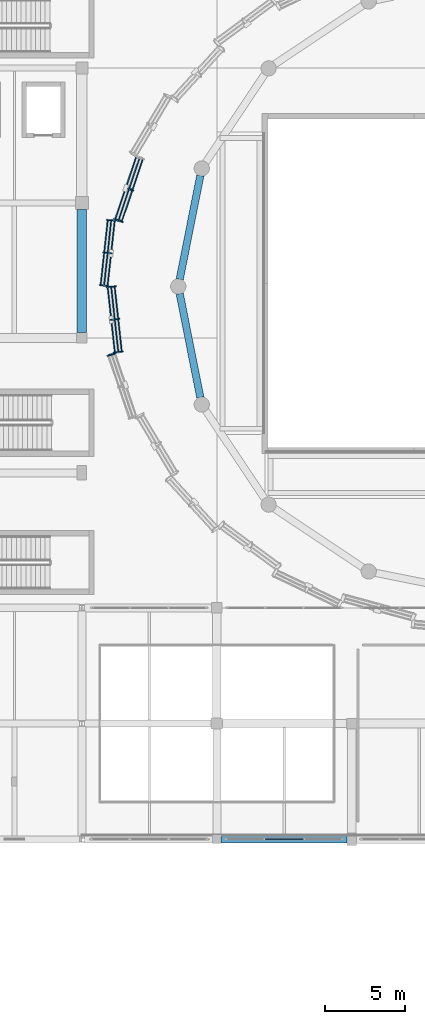
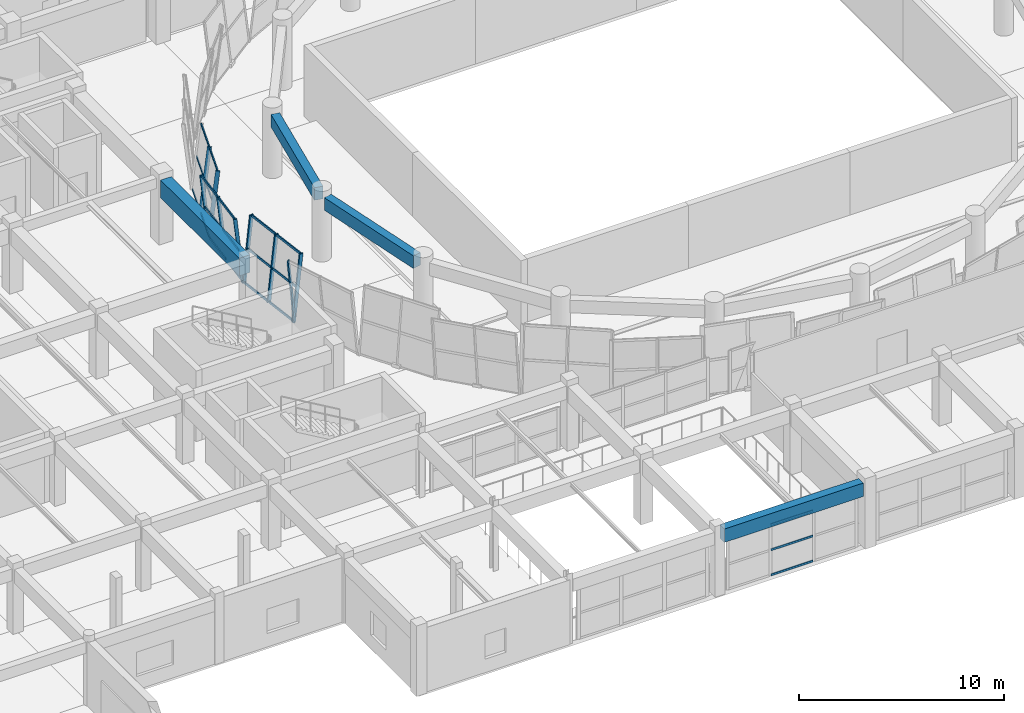
# One storey, part 15 of 71: 30 members, 4 beams, 5 elements without a shape of their own.
"""IFC4 building model written with IfcOpenShell, lengths in metres."""

from ifc_helpers import new_model, si_unit, direction, frame, origin, origin_2d, place, context, subcontext, project, spatial, rectangle, hollow_rectangle, extrude, material, material_profile, profile_set, type_object, element, aggregate, save


model = new_model("IFC4")

# Units and contexts
model_context = context("Model", 3, precision=1e-05, world=origin(), true_north=direction((0.0, 1.0)))
body_context = subcontext(model_context, "Body", "Model", "MODEL_VIEW")
ifc_project = project(units=[si_unit("LENGTHUNIT", "METRE"), si_unit("AREAUNIT", "SQUARE_METRE"), si_unit("VOLUMEUNIT", "CUBIC_METRE"), si_unit("PLANEANGLEUNIT", "RADIAN"), si_unit("MASSUNIT", "GRAM", prefix="KILO")], contexts=[model_context])

# Site, building, storey
site_placement = place(None, origin())
site = spatial("IfcSite", under=ifc_project, at=site_placement, CompositionType="ELEMENT")
building_placement = place(site_placement, origin())
building = spatial("IfcBuilding", under=site, at=building_placement, Name="Korsvaeld Concert Hall", CompositionType="ELEMENT")
storey_placement = place(building_placement, frame((0.0, 0.0, 4.800048828125)))
storey = spatial("IfcBuildingStorey", under=building, at=storey_placement, Name="L01", CompositionType="ELEMENT", Elevation=4.800048828125)

# Beams
ifc_material_1 = material(Name="Concrete C35/45", Category="concrete")
ifc_material_profile_1 = material_profile(ifc_material_1, rectangle(XDim=0.449951171875, YDim=0.75, at=origin_2d()), Name="RC 450x750")
ifc_profile_set_1 = profile_set([ifc_material_profile_1], Name="Concrete C35/45")
beam_type_1 = type_object("IfcBeamType", Name="BM-RC-450x750", PredefinedType="T_BEAM", material=ifc_profile_set_1)
beam_1_placement = place(storey_placement, frame((66.173583984375, 70.106201171875, 3.46484375), z_axis=(-0.195083214432, -0.980786694163, 0.0), x_axis=(0.980786694163, -0.195083214432, 0.0)))
element("IfcBeam", 1, at=beam_1_placement, inside=storey, type_object=beam_type_1, Name="Drum ring floor girder L01 08", PredefinedType="T_BEAM", context=body_context, shape_type="SweptSolid", body=[
    extrude(rectangle(XDim=0.449951171875, YDim=0.75, at=origin_2d()), origin(), (0.0, 0.0, 1.0), 6.591552734375),
])
beam_2_placement = place(storey_placement, frame((64.8876953125, 62.758544921875, 3.46484375), z_axis=(0.195090301499, -0.980785284484, 0.0), x_axis=(0.980785284484, 0.195090301499, 0.0)))
element("IfcBeam", 2, at=beam_2_placement, inside=storey, type_object=beam_type_1, Name="Drum ring floor girder L01 09", PredefinedType="T_BEAM", context=body_context, shape_type="SweptSolid", body=[
    extrude(rectangle(XDim=0.449951171875, YDim=0.75, at=origin_2d()), origin(), (0.0, 0.0, 1.0), 6.59130859375),
])
ifc_material_profile_2 = material_profile(ifc_material_1, rectangle(XDim=0.449951171875, YDim=0.800048828125, at=origin_2d()), Name="RC 450x800")
ifc_profile_set_2 = profile_set([ifc_material_profile_2], Name="Concrete C35/45")
beam_type_2 = type_object("IfcBeamType", Name="BM-RC-450x800", PredefinedType="T_BEAM", material=ifc_profile_set_2)
beam_3_placement = place(storey_placement, frame((67.47509765625, 28.800048828125, 3.43994140625), z_axis=(1.0, 0.0, 0.0), x_axis=(0.0, 1.0, 0.0)))
element("IfcBeam", 3, at=beam_3_placement, inside=storey, type_object=beam_type_2, Name="Primary girder 10-11/E L01", PredefinedType="T_BEAM", context=body_context, shape_type="SweptSolid", body=[
    extrude(rectangle(XDim=0.449951171875, YDim=0.800048828125, at=origin_2d()), origin(), (0.0, 0.0, 1.0), 7.824951171875),
])
ifc_material_2 = material(Name="Concrete C40/50", Category="concrete")
ifc_material_profile_3 = material_profile(ifc_material_2, rectangle(XDim=0.60009765625, YDim=1.050048828125, at=origin_2d()), Name="RC 600x1050")
ifc_profile_set_3 = profile_set([ifc_material_profile_3], Name="Concrete C40/50")
beam_type_3 = type_object("IfcBeamType", Name="BM-RC-600x1050", PredefinedType="T_BEAM", material=ifc_profile_set_3)
beam_4_placement = place(storey_placement, frame((58.800048828125, 60.324951171875, 3.31494140625), z_axis=(0.0, 1.0, 0.0), x_axis=(-1.0, 0.0, 0.0)))
element("IfcBeam", 4, at=beam_4_placement, inside=storey, type_object=beam_type_3, Name="Primary girder 9/J-K L01", PredefinedType="T_BEAM", context=body_context, shape_type="SweptSolid", body=[
    extrude(rectangle(XDim=0.60009765625, YDim=1.050048828125, at=origin_2d()), origin(), (0.0, 0.0, 1.0), 7.675048828125),
])

# Curtain wall, members
ifc_material_3 = material(Name="Anodised bronze and ceramic-fritted safety glass", Category="glass")
curtain_wall_type_1 = type_object("IfcCurtainWallType", Name="CW-TYPE-08", PredefinedType="USERDEFINED", material=ifc_material_3)
curtain_wall_1_placement = place(storey_placement, origin())
curtain_wall_1 = element("IfcCurtainWall", 5, at=curtain_wall_1_placement, inside=storey, type_object=curtain_wall_type_1, Name="Crystal curtain-wall facet L01 F16", ObjectType="CURTAIN WALL", PredefinedType="USERDEFINED")
ifc_material_4 = material(Name="Anodised architectural bronze aluminium", Category="aluminium")
ifc_material_profile_4 = material_profile(ifc_material_4, hollow_rectangle(XDim=0.074951171875, YDim=0.179931640625, WallThickness=0.0048828125, at=origin_2d()), Name="CWM 180x75x5")
ifc_profile_set_4 = profile_set([ifc_material_profile_4], Name="Anodised architectural bronze aluminium")
member_type_1 = type_object("IfcMemberType", Name="CWM-BRONZE-180x75", PredefinedType="MULLION", material=ifc_profile_set_4)
member_1_placement = place(storey_placement, frame((60.849365234375, 67.298583984375, 0.0), z_axis=(-0.112724477712, 0.010003281439, 0.993575928898), x_axis=(-0.19573924927, -0.980578399694, -0.012334842844)))
member_1 = element("IfcMember", 6, at=member_1_placement, type_object=member_type_1, Name="CW-CRYS-L01-F16 crystal mullion 1", PredefinedType="MULLION", context=body_context, shape_type="SweptSolid", body=[
    extrude(hollow_rectangle(XDim=0.074951171875, YDim=0.179931640625, WallThickness=0.0048828125, at=origin_2d()), origin(), (0.0, 0.0, 1.0), 3.905029296875),
])
member_2_placement = place(storey_placement, frame((60.626708984375, 65.26806640625, 0.0), z_axis=(-0.112786273449, 0.00994069705, 0.993569544151), x_axis=(-0.195151320057, -0.980695499736, -0.012340951229)))
member_2 = element("IfcMember", 7, at=member_2_placement, type_object=member_type_1, Name="CW-CRYS-L01-F16 crystal mullion 2", PredefinedType="MULLION", context=body_context, shape_type="SweptSolid", body=[
    extrude(hollow_rectangle(XDim=0.074951171875, YDim=0.179931640625, WallThickness=0.0048828125, at=origin_2d()), origin(), (0.0, 0.0, 1.0), 3.905029296875),
])
member_3_placement = place(storey_placement, frame((60.404052734375, 63.2373046875, 0.0), z_axis=(-0.112786273449, 0.00994069705, 0.993569544151), x_axis=(-0.195151320057, -0.980695499736, -0.012340951229)))
member_3 = element("IfcMember", 8, at=member_3_placement, type_object=member_type_1, Name="CW-CRYS-L01-F16 crystal mullion 3", PredefinedType="MULLION", context=body_context, shape_type="SweptSolid", body=[
    extrude(hollow_rectangle(XDim=0.074951171875, YDim=0.179931640625, WallThickness=0.0048828125, at=origin_2d()), origin(), (0.0, 0.0, 1.0), 3.905029296875),
])

# Curtain wall, member
curtain_wall_type_2 = type_object("IfcCurtainWallType", Name="CW-TYPE-02", PredefinedType="USERDEFINED", material=ifc_material_3)
curtain_wall_2_placement = place(storey_placement, origin())
curtain_wall_2 = element("IfcCurtainWall", 9, at=curtain_wall_2_placement, inside=storey, type_object=curtain_wall_type_2, Name="Crystal curtain-wall facet L01 F18", ObjectType="CURTAIN WALL", PredefinedType="USERDEFINED")
member_4_placement = place(storey_placement, frame((60.865478515625, 59.028564453125, 0.0), z_axis=(-0.109222864708, -0.029759635719, 0.993571703455), x_axis=(0.555751470455, -0.830559253027, 0.036216436851)))
member_4 = element("IfcMember", 10, at=member_4_placement, type_object=member_type_1, Name="CW-CRYS-L01-F18 crystal mullion 1", PredefinedType="MULLION", context=body_context, shape_type="SweptSolid", body=[
    extrude(hollow_rectangle(XDim=0.074951171875, YDim=0.179931640625, WallThickness=0.0048828125, at=origin_2d()), origin(), (0.0, 0.0, 1.0), 3.905029296875),
])
aggregate(curtain_wall_2, [member_4])

# Curtain wall, members
curtain_wall_type_3 = type_object("IfcCurtainWallType", Name="CW-TYPE-07", PredefinedType="USERDEFINED", material=ifc_material_3)
curtain_wall_3_placement = place(storey_placement, origin())
curtain_wall_3 = element("IfcCurtainWall", 11, at=curtain_wall_3_placement, inside=storey, type_object=curtain_wall_type_3, Name="Crystal curtain-wall facet L01 F15", ObjectType="CURTAIN WALL", PredefinedType="USERDEFINED")
ifc_material_profile_5 = material_profile(ifc_material_4, hollow_rectangle(XDim=0.074951171875, YDim=0.219970703125, WallThickness=0.006103515625, at=origin_2d()), Name="CWM 220x75x6")
ifc_profile_set_5 = profile_set([ifc_material_profile_5], Name="Anodised architectural bronze aluminium")
member_type_2 = type_object("IfcMemberType", Name="CWM-BRONZE-220x75", PredefinedType="MULLION", material=ifc_profile_set_5)
member_5_placement = place(storey_placement, frame((61.52490234375, 69.324462890625, 0.0), z_axis=(0.109222864708, -0.029759635719, 0.993571703455), x_axis=(0.555751470455, 0.830559253027, -0.036216436851)))
member_5 = element("IfcMember", 12, at=member_5_placement, type_object=member_type_2, Name="CW-CRYS-L01-F15 crystal mullion 2", PredefinedType="MULLION", context=body_context, shape_type="SweptSolid", body=[
    extrude(hollow_rectangle(XDim=0.074951171875, YDim=0.219970703125, WallThickness=0.006103515625, at=origin_2d()), origin(), (0.0, 0.0, 1.0), 3.905029296875),
])
member_6_placement = place(storey_placement, frame((60.865478515625, 67.371337890625, 0.0), z_axis=(0.109222864708, -0.029759635719, 0.993571703455), x_axis=(0.555751470455, 0.830559253027, -0.036216436851)))
member_6 = element("IfcMember", 13, at=member_6_placement, type_object=member_type_2, Name="CW-CRYS-L01-F15 crystal mullion 3", PredefinedType="MULLION", context=body_context, shape_type="SweptSolid", body=[
    extrude(hollow_rectangle(XDim=0.074951171875, YDim=0.219970703125, WallThickness=0.006103515625, at=origin_2d()), origin(), (0.0, 0.0, 1.0), 3.905029296875),
])

curtain_wall_type_4 = type_object("IfcCurtainWallType", Name="CW-TYPE-01", PredefinedType="USERDEFINED", material=ifc_material_3)
curtain_wall_4_placement = place(storey_placement, origin())
curtain_wall_4 = element("IfcCurtainWall", 14, at=curtain_wall_4_placement, inside=storey, type_object=curtain_wall_type_4, Name="Crystal curtain-wall facet L01 F17", ObjectType="CURTAIN WALL", PredefinedType="USERDEFINED")
member_7_placement = place(storey_placement, frame((60.404052734375, 63.162841796875, 0.0), z_axis=(0.112786273449, 0.00994069705, 0.993569544151), x_axis=(-0.195151320057, 0.980695499736, 0.012340951229)))
member_7 = element("IfcMember", 15, at=member_7_placement, type_object=member_type_2, Name="CW-CRYS-L01-F17 crystal mullion 1", PredefinedType="MULLION", context=body_context, shape_type="SweptSolid", body=[
    extrude(hollow_rectangle(XDim=0.074951171875, YDim=0.219970703125, WallThickness=0.006103515625, at=origin_2d()), origin(), (0.0, 0.0, 1.0), 3.905029296875),
])
member_8_placement = place(storey_placement, frame((60.626708984375, 61.132080078125, 0.0), z_axis=(0.112786273449, 0.00994069705, 0.993569544151), x_axis=(-0.195151320057, 0.980695499736, 0.012340951229)))
member_8 = element("IfcMember", 16, at=member_8_placement, type_object=member_type_2, Name="CW-CRYS-L01-F17 crystal mullion 2", PredefinedType="MULLION", context=body_context, shape_type="SweptSolid", body=[
    extrude(hollow_rectangle(XDim=0.074951171875, YDim=0.219970703125, WallThickness=0.006103515625, at=origin_2d()), origin(), (0.0, 0.0, 1.0), 3.905029296875),
])
member_9_placement = place(storey_placement, frame((60.849365234375, 59.101318359375, 0.0), z_axis=(0.112786203132, 0.010003210921, 0.993568924712), x_axis=(-0.195690629409, 0.980588019436, 0.012341543691)))
member_9 = element("IfcMember", 17, at=member_9_placement, type_object=member_type_2, Name="CW-CRYS-L01-F17 crystal mullion 3", PredefinedType="MULLION", context=body_context, shape_type="SweptSolid", body=[
    extrude(hollow_rectangle(XDim=0.074951171875, YDim=0.219970703125, WallThickness=0.006103515625, at=origin_2d()), origin(), (0.0, 0.0, 1.0), 3.905029296875),
])

curtain_wall_type_5 = type_object("IfcCurtainWallType", Name="CW-TYPE-11", PredefinedType="USERDEFINED", material=ifc_material_3)
curtain_wall_5_placement = place(storey_placement, origin())
curtain_wall_5 = element("IfcCurtainWall", 18, at=curtain_wall_5_placement, inside=storey, type_object=curtain_wall_type_5, Name="Wintergarden foyer curtain wall L01-11", ObjectType="CURTAIN WALL", PredefinedType="USERDEFINED")
ifc_material_profile_6 = material_profile(ifc_material_4, hollow_rectangle(XDim=0.06005859375, YDim=0.1201171875, WallThickness=0.00390625, at=origin_2d()), Name="CWT 120x60x4")
ifc_profile_set_6 = profile_set([ifc_material_profile_6], Name="Anodised architectural bronze aluminium")
member_type_3 = type_object("IfcMemberType", Name="CWT-ALUM-120x60", PredefinedType="USERDEFINED", material=ifc_profile_set_6)
member_10_placement = place(storey_placement, frame((72.586669921875, 28.800048828125, 0.030029296875), z_axis=(-1.0, 0.0, 0.0), x_axis=(0.0, -1.0, 0.0)))
member_10 = element("IfcMember", 19, at=member_10_placement, type_object=member_type_3, Name="CW-11 transom 2.1", ObjectType="TRANSOM", PredefinedType="USERDEFINED", context=body_context, shape_type="SweptSolid", body=[
    extrude(hollow_rectangle(XDim=0.06005859375, YDim=0.1201171875, WallThickness=0.00390625, at=origin_2d()), origin(), (0.0, 0.0, 1.0), 2.373291015625),
])
member_11_placement = place(storey_placement, frame((72.586669921875, 28.800048828125, 1.52001953125), z_axis=(-1.0, 0.0, 0.0), x_axis=(0.0, -1.0, 0.0)))
member_11 = element("IfcMember", 20, at=member_11_placement, type_object=member_type_3, Name="CW-11 transom 2.2", ObjectType="TRANSOM", PredefinedType="USERDEFINED", context=body_context, shape_type="SweptSolid", body=[
    extrude(hollow_rectangle(XDim=0.06005859375, YDim=0.1201171875, WallThickness=0.00390625, at=origin_2d()), origin(), (0.0, 0.0, 1.0), 2.373291015625),
])
member_12_placement = place(storey_placement, frame((72.586669921875, 28.800048828125, 3.010009765625), z_axis=(-1.0, 0.0, 0.0), x_axis=(0.0, -1.0, 0.0)))
member_12 = element("IfcMember", 21, at=member_12_placement, type_object=member_type_3, Name="CW-11 transom 2.3", ObjectType="TRANSOM", PredefinedType="USERDEFINED", context=body_context, shape_type="SweptSolid", body=[
    extrude(hollow_rectangle(XDim=0.06005859375, YDim=0.1201171875, WallThickness=0.00390625, at=origin_2d()), origin(), (0.0, 0.0, 1.0), 2.373291015625),
])
aggregate(curtain_wall_5, [member_10, member_11, member_12])

# Member
ifc_material_profile_7 = material_profile(ifc_material_4, hollow_rectangle(XDim=0.06005859375, YDim=0.139892578125, WallThickness=0.00390625, at=origin_2d()), Name="CWT 140x60x4")
ifc_profile_set_7 = profile_set([ifc_material_profile_7], Name="Anodised architectural bronze aluminium")
member_type_4 = type_object("IfcMemberType", Name="CWT-BRONZE-140x60", PredefinedType="USERDEFINED", material=ifc_profile_set_7)
member_13_placement = place(storey_placement, frame((62.17578125, 71.240966796875, 0.030029296875), z_axis=(-0.319949676143, -0.947434538497, 0.0), x_axis=(0.947434538497, -0.319949676143, 0.0)))
member_13 = element("IfcMember", 22, at=member_13_placement, type_object=member_type_4, Name="CW-CRYS-L01-F15 crystal transom 1.1", ObjectType="TRANSOM", PredefinedType="USERDEFINED", context=body_context, shape_type="SweptSolid", body=[
    extrude(hollow_rectangle(XDim=0.06005859375, YDim=0.139892578125, WallThickness=0.00390625, at=origin_2d()), origin(), (0.0, 0.0, 1.0), 1.986328125),
])

member_14_placement = place(storey_placement, frame((62.3857421875, 71.183837890625, 1.93994140625), z_axis=(-0.319912420616, -0.947447118912, 0.0), x_axis=(0.947447118912, -0.319912420616, 0.0)))
member_14 = element("IfcMember", 23, at=member_14_placement, type_object=member_type_4, Name="CW-CRYS-L01-F15 crystal transom 1.2", ObjectType="TRANSOM", PredefinedType="USERDEFINED", context=body_context, shape_type="SweptSolid", body=[
    extrude(hollow_rectangle(XDim=0.06005859375, YDim=0.139892578125, WallThickness=0.00390625, at=origin_2d()), origin(), (0.0, 0.0, 1.0), 1.986572265625),
])

member_15_placement = place(storey_placement, frame((62.595703125, 71.12646484375, 3.849853515625), z_axis=(-0.319949676143, -0.947434538497, 0.0), x_axis=(0.947434538497, -0.319949676143, 0.0)))
member_15 = element("IfcMember", 24, at=member_15_placement, type_object=member_type_4, Name="CW-CRYS-L01-F15 crystal transom 1.3", ObjectType="TRANSOM", PredefinedType="USERDEFINED", context=body_context, shape_type="SweptSolid", body=[
    extrude(hollow_rectangle(XDim=0.06005859375, YDim=0.139892578125, WallThickness=0.00390625, at=origin_2d()), origin(), (0.0, 0.0, 1.0), 1.986328125),
])

member_16_placement = place(storey_placement, frame((61.516357421875, 69.2880859375, 0.030029296875), z_axis=(-0.319912420616, -0.947447118912, 0.0), x_axis=(0.947447118912, -0.319912420616, 0.0)))
member_16 = element("IfcMember", 25, at=member_16_placement, type_object=member_type_4, Name="CW-CRYS-L01-F15 crystal transom 2.1", ObjectType="TRANSOM", PredefinedType="USERDEFINED", context=body_context, shape_type="SweptSolid", body=[
    extrude(hollow_rectangle(XDim=0.06005859375, YDim=0.139892578125, WallThickness=0.00390625, at=origin_2d()), origin(), (0.0, 0.0, 1.0), 1.986572265625),
])

member_17_placement = place(storey_placement, frame((61.726318359375, 69.230712890625, 1.93994140625), z_axis=(-0.319949676143, -0.947434538497, 0.0), x_axis=(0.947434538497, -0.319949676143, 0.0)))
member_17 = element("IfcMember", 26, at=member_17_placement, type_object=member_type_4, Name="CW-CRYS-L01-F15 crystal transom 2.2", ObjectType="TRANSOM", PredefinedType="USERDEFINED", context=body_context, shape_type="SweptSolid", body=[
    extrude(hollow_rectangle(XDim=0.06005859375, YDim=0.139892578125, WallThickness=0.00390625, at=origin_2d()), origin(), (0.0, 0.0, 1.0), 1.986328125),
])

member_18_placement = place(storey_placement, frame((61.936279296875, 69.173583984375, 3.849853515625), z_axis=(-0.319949676143, -0.947434538497, 0.0), x_axis=(0.947434538497, -0.319949676143, 0.0)))
member_18 = element("IfcMember", 27, at=member_18_placement, type_object=member_type_4, Name="CW-CRYS-L01-F15 crystal transom 2.3", ObjectType="TRANSOM", PredefinedType="USERDEFINED", context=body_context, shape_type="SweptSolid", body=[
    extrude(hollow_rectangle(XDim=0.06005859375, YDim=0.139892578125, WallThickness=0.00390625, at=origin_2d()), origin(), (0.0, 0.0, 1.0), 1.986328125),
])

aggregate(curtain_wall_3, [member_5, member_6, member_13, member_14, member_15, member_16, member_17, member_18])

member_19_placement = place(storey_placement, frame((60.842041015625, 67.26171875, 0.030029296875), z_axis=(-0.109042629262, -0.99403707426, 0.0), x_axis=(0.99403707426, -0.109042629262, 0.0)))
member_19 = element("IfcMember", 28, at=member_19_placement, type_object=member_type_4, Name="CW-CRYS-L01-F16 crystal transom 1.1", ObjectType="TRANSOM", PredefinedType="USERDEFINED", context=body_context, shape_type="SweptSolid", body=[
    extrude(hollow_rectangle(XDim=0.06005859375, YDim=0.139892578125, WallThickness=0.00390625, at=origin_2d()), origin(), (0.0, 0.0, 1.0), 1.968017578125),
])

member_20_placement = place(storey_placement, frame((60.625244140625, 67.28076171875, 1.93994140625), z_axis=(-0.10905607732, -0.99403559896, 0.0), x_axis=(0.99403559896, -0.10905607732, 0.0)))
member_20 = element("IfcMember", 29, at=member_20_placement, type_object=member_type_4, Name="CW-CRYS-L01-F16 crystal transom 1.2", ObjectType="TRANSOM", PredefinedType="USERDEFINED", context=body_context, shape_type="SweptSolid", body=[
    extrude(hollow_rectangle(XDim=0.06005859375, YDim=0.139892578125, WallThickness=0.00390625, at=origin_2d()), origin(), (0.0, 0.0, 1.0), 1.9677734375),
])

member_21_placement = place(storey_placement, frame((60.408447265625, 67.300048828125, 3.849853515625), z_axis=(-0.10905607732, -0.99403559896, 0.0), x_axis=(0.99403559896, -0.10905607732, 0.0)))
member_21 = element("IfcMember", 30, at=member_21_placement, type_object=member_type_4, Name="CW-CRYS-L01-F16 crystal transom 1.3", ObjectType="TRANSOM", PredefinedType="USERDEFINED", context=body_context, shape_type="SweptSolid", body=[
    extrude(hollow_rectangle(XDim=0.06005859375, YDim=0.139892578125, WallThickness=0.00390625, at=origin_2d()), origin(), (0.0, 0.0, 1.0), 1.9677734375),
])

member_22_placement = place(storey_placement, frame((60.619140625, 65.23095703125, 0.030029296875), z_axis=(-0.108933482058, -0.994049041289, 0.0), x_axis=(0.994049041289, -0.108933482058, 0.0)))
member_22 = element("IfcMember", 31, at=member_22_placement, type_object=member_type_4, Name="CW-CRYS-L01-F16 crystal transom 2.1", ObjectType="TRANSOM", PredefinedType="USERDEFINED", context=body_context, shape_type="SweptSolid", body=[
    extrude(hollow_rectangle(XDim=0.06005859375, YDim=0.139892578125, WallThickness=0.00390625, at=origin_2d()), origin(), (0.0, 0.0, 1.0), 1.9677734375),
])

member_23_placement = place(storey_placement, frame((60.402587890625, 65.250244140625, 1.93994140625), z_axis=(-0.109042629262, -0.99403707426, 0.0), x_axis=(0.99403707426, -0.109042629262, 0.0)))
member_23 = element("IfcMember", 32, at=member_23_placement, type_object=member_type_4, Name="CW-CRYS-L01-F16 crystal transom 2.2", ObjectType="TRANSOM", PredefinedType="USERDEFINED", context=body_context, shape_type="SweptSolid", body=[
    extrude(hollow_rectangle(XDim=0.06005859375, YDim=0.139892578125, WallThickness=0.00390625, at=origin_2d()), origin(), (0.0, 0.0, 1.0), 1.968017578125),
])

member_24_placement = place(storey_placement, frame((60.185791015625, 65.269287109375, 3.849853515625), z_axis=(-0.10905607732, -0.99403559896, 0.0), x_axis=(0.99403559896, -0.10905607732, 0.0)))
member_24 = element("IfcMember", 33, at=member_24_placement, type_object=member_type_4, Name="CW-CRYS-L01-F16 crystal transom 2.3", ObjectType="TRANSOM", PredefinedType="USERDEFINED", context=body_context, shape_type="SweptSolid", body=[
    extrude(hollow_rectangle(XDim=0.06005859375, YDim=0.139892578125, WallThickness=0.00390625, at=origin_2d()), origin(), (0.0, 0.0, 1.0), 1.9677734375),
])

aggregate(curtain_wall_1, [member_1, member_2, member_3, member_19, member_20, member_21, member_22, member_23, member_24])

member_25_placement = place(storey_placement, frame((60.41162109375, 63.125732421875, 0.030029296875), z_axis=(0.108933482058, -0.994049041289, 0.0), x_axis=(0.994049041289, 0.108933482058, 0.0)))
member_25 = element("IfcMember", 34, at=member_25_placement, type_object=member_type_4, Name="CW-CRYS-L01-F17 crystal transom 1.1", ObjectType="TRANSOM", PredefinedType="USERDEFINED", context=body_context, shape_type="SweptSolid", body=[
    extrude(hollow_rectangle(XDim=0.06005859375, YDim=0.139892578125, WallThickness=0.00390625, at=origin_2d()), origin(), (0.0, 0.0, 1.0), 1.9677734375),
])

member_26_placement = place(storey_placement, frame((60.62841796875, 63.14501953125, 1.93994140625), z_axis=(0.108920048755, -0.994050513294, 0.0), x_axis=(0.994050513294, 0.108920048755, 0.0)))
member_26 = element("IfcMember", 35, at=member_26_placement, type_object=member_type_4, Name="CW-CRYS-L01-F17 crystal transom 1.2", ObjectType="TRANSOM", PredefinedType="USERDEFINED", context=body_context, shape_type="SweptSolid", body=[
    extrude(hollow_rectangle(XDim=0.06005859375, YDim=0.139892578125, WallThickness=0.00390625, at=origin_2d()), origin(), (0.0, 0.0, 1.0), 1.968017578125),
])

member_27_placement = place(storey_placement, frame((60.84521484375, 63.1640625, 3.849853515625), z_axis=(0.108933482058, -0.994049041289, 0.0), x_axis=(0.994049041289, 0.108933482058, 0.0)))
member_27 = element("IfcMember", 36, at=member_27_placement, type_object=member_type_4, Name="CW-CRYS-L01-F17 crystal transom 1.3", ObjectType="TRANSOM", PredefinedType="USERDEFINED", context=body_context, shape_type="SweptSolid", body=[
    extrude(hollow_rectangle(XDim=0.06005859375, YDim=0.139892578125, WallThickness=0.00390625, at=origin_2d()), origin(), (0.0, 0.0, 1.0), 1.9677734375),
])

member_28_placement = place(storey_placement, frame((60.63427734375, 61.094970703125, 0.030029296875), z_axis=(0.108933482058, -0.994049041289, 0.0), x_axis=(0.994049041289, 0.108933482058, 0.0)))
member_28 = element("IfcMember", 37, at=member_28_placement, type_object=member_type_4, Name="CW-CRYS-L01-F17 crystal transom 2.1", ObjectType="TRANSOM", PredefinedType="USERDEFINED", context=body_context, shape_type="SweptSolid", body=[
    extrude(hollow_rectangle(XDim=0.06005859375, YDim=0.139892578125, WallThickness=0.00390625, at=origin_2d()), origin(), (0.0, 0.0, 1.0), 1.9677734375),
])

member_29_placement = place(storey_placement, frame((60.85107421875, 61.1142578125, 1.93994140625), z_axis=(0.108933482058, -0.994049041289, 0.0), x_axis=(0.994049041289, 0.108933482058, 0.0)))
member_29 = element("IfcMember", 38, at=member_29_placement, type_object=member_type_4, Name="CW-CRYS-L01-F17 crystal transom 2.2", ObjectType="TRANSOM", PredefinedType="USERDEFINED", context=body_context, shape_type="SweptSolid", body=[
    extrude(hollow_rectangle(XDim=0.06005859375, YDim=0.139892578125, WallThickness=0.00390625, at=origin_2d()), origin(), (0.0, 0.0, 1.0), 1.9677734375),
])

member_30_placement = place(storey_placement, frame((61.06787109375, 61.133544921875, 3.849853515625), z_axis=(0.108920048755, -0.994050513294, 0.0), x_axis=(0.994050513294, 0.108920048755, 0.0)))
member_30 = element("IfcMember", 39, at=member_30_placement, type_object=member_type_4, Name="CW-CRYS-L01-F17 crystal transom 2.3", ObjectType="TRANSOM", PredefinedType="USERDEFINED", context=body_context, shape_type="SweptSolid", body=[
    extrude(hollow_rectangle(XDim=0.06005859375, YDim=0.139892578125, WallThickness=0.00390625, at=origin_2d()), origin(), (0.0, 0.0, 1.0), 1.968017578125),
])

aggregate(curtain_wall_4, [member_7, member_8, member_9, member_25, member_26, member_27, member_28, member_29, member_30])

save(model, "model.ifc")
